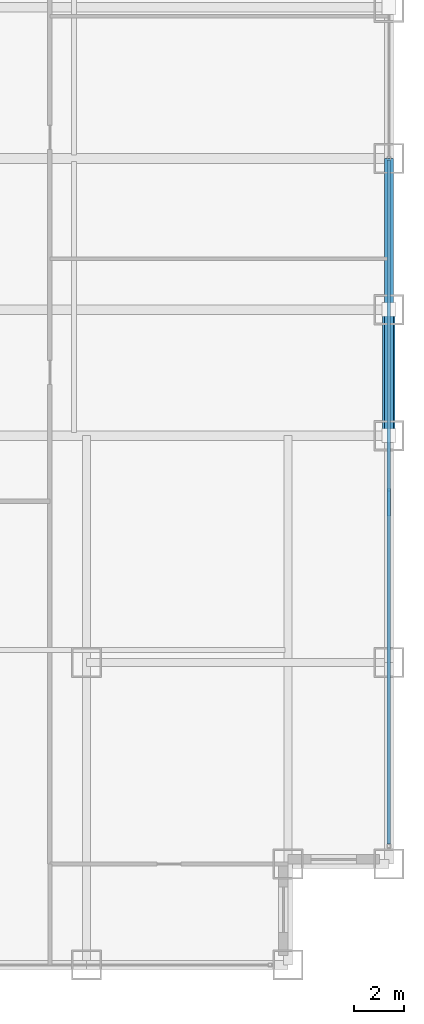
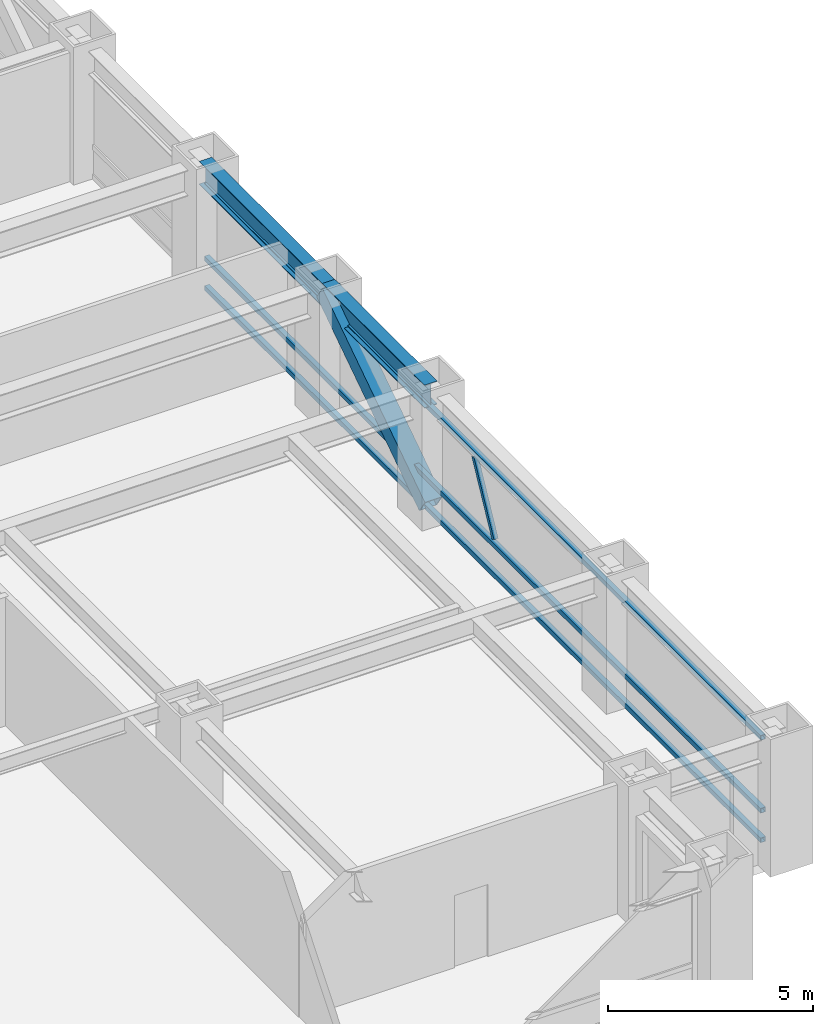
# One storey, part 13 of 27: 5 members, 2 beams, 1 element without a shape of its own.
"""IFC4 building model written with IfcOpenShell, lengths in metres."""

from ifc_helpers import new_model, si_unit, direction, frame, origin, origin_2d, place, context, subcontext, project, spatial, hollow_rectangle, i_section, extrude, source, transform, mapped, material, material_profile, profile_set, type_object, element, aggregate, save


model = new_model("IFC4")

# Units and contexts
model_context = context("Model", 3, precision=1e-05, world=origin(), true_north=direction((0.0, 1.0)))
body_context = subcontext(model_context, "Body", "Model", "MODEL_VIEW")
ifc_project = project(units=[si_unit("LENGTHUNIT", "METRE"), si_unit("AREAUNIT", "SQUARE_METRE"), si_unit("VOLUMEUNIT", "CUBIC_METRE"), si_unit("PLANEANGLEUNIT", "RADIAN"), si_unit("MASSUNIT", "GRAM", prefix="KILO")], contexts=[model_context])

# Site, building, storey
site_placement = place(None, origin())
site = spatial("IfcSite", under=ifc_project, at=site_placement, CompositionType="ELEMENT")
building_placement = place(site_placement, origin())
building = spatial("IfcBuilding", under=site, at=building_placement, Name="Khorayat Bourse Tower", CompositionType="ELEMENT")
storey_placement = place(building_placement, frame((0.0, 0.0, 111.89990234375)))
storey = spatial("IfcBuildingStorey", under=building, at=storey_placement, Name="L25", CompositionType="ELEMENT", Elevation=111.89990234375)

# Beams
ifc_material_1 = material(Name="Steel ASTM A992 Grade 50", Category="steel")
ifc_material_profile_1 = material_profile(ifc_material_1, i_section(OverallWidth=0.35498046875, OverallDepth=0.695068359375, WebThickness=0.015380859375, FlangeThickness=0.02490234375, FilletRadius=0.01806640625, at=origin_2d()), Name="W690X217")
ifc_profile_set_1 = profile_set([ifc_material_profile_1], Name="Steel ASTM A992 Grade 50")
beam_type = type_object("IfcBeamType", Name="BM-SPAN-690", PredefinedType="SPANDREL", material=ifc_profile_set_1)
shared_shape_1 = source(origin(), body_context, "Body", "SweptSolid", [
    extrude(i_section(OverallWidth=0.35498046875, OverallDepth=0.695068359375, WebThickness=0.015380859375, FlangeThickness=0.02490234375, FilletRadius=0.01806640625, at=origin_2d()), origin(), (0.0, 0.0, 1.0), 5.0),
])
beam_1_placement = place(storey_placement, frame((32.0, -11.0, 3.49267578125), z_axis=(0.0, 1.0, 0.0), x_axis=(-1.0, 0.0, 0.0)))
element("IfcBeam", 1, at=beam_1_placement, inside=storey, type_object=beam_type, Name="L25 BM-SPAN-690 BM-L25-SPN-036", PredefinedType="SPANDREL", context=body_context, shape_type="MappedRepresentation", body=[
    mapped(shared_shape_1, transform((0.0, 0.0, 0.0), scale=1.0)),
])
shared_shape_2 = source(origin(), body_context, "Body", "SweptSolid", [
    extrude(i_section(OverallWidth=0.35498046875, OverallDepth=0.695068359375, WebThickness=0.015380859375, FlangeThickness=0.02490234375, FilletRadius=0.01806640625, at=origin_2d()), origin(), (0.0, 0.0, 1.0), 6.0),
])
beam_2_placement = place(storey_placement, frame((32.0, -6.0, 3.49267578125), z_axis=(0.0, 1.0, 0.0), x_axis=(-1.0, 0.0, 0.0)))
element("IfcBeam", 2, at=beam_2_placement, inside=storey, type_object=beam_type, Name="L25 BM-SPAN-690 BM-L25-SPN-037", PredefinedType="SPANDREL", context=body_context, shape_type="MappedRepresentation", body=[
    mapped(shared_shape_2, transform((0.0, 0.0, 0.0), scale=1.0)),
])

# Member
ifc_material_2 = material(Name="Steel EN 10025-4 S460M", Category="steel")
ifc_material_profile_2 = material_profile(ifc_material_2, hollow_rectangle(XDim=0.5, YDim=0.5, WallThickness=0.028076171875, at=origin_2d()), Name="HSS 500x500x28")
ifc_profile_set_2 = profile_set([ifc_material_profile_2], Name="Steel EN 10025-4 S460M")
member_type_1 = type_object("IfcMemberType", Name="MBR-TUBE-500", PredefinedType="BRACE", material=ifc_profile_set_2)
shared_shape_3 = source(origin(), body_context, "Body", "SweptSolid", [
    extrude(hollow_rectangle(XDim=0.5, YDim=0.5, WallThickness=0.028076171875, at=origin_2d()), origin(), (0.0, 0.0, 1.0), 6.012939453125),
])
member_1_placement = place(storey_placement, frame((32.0, -11.0, 0.25), z_axis=(0.0, 0.831531473026, 0.555477640745), x_axis=(-1.0, 0.0, 0.0)))
element("IfcMember", 3, at=member_1_placement, inside=storey, type_object=member_type_1, Name="L25 Perimeter Tube Brace 07", PredefinedType="BRACE", context=body_context, shape_type="MappedRepresentation", body=[
    mapped(shared_shape_3, transform((0.0, 0.0, 0.0), scale=1.0)),
])

# Curtain wall, members
ifc_material_3 = material(Name="Aluminium EN AW-6063 T6", Category="aluminium")
curtain_wall_type = type_object("IfcCurtainWallType", Name="CW-SYS-02", PredefinedType="NOTDEFINED", material=ifc_material_3)
curtain_wall_placement = place(storey_placement, origin())
curtain_wall = element("IfcCurtainWall", 4, at=curtain_wall_placement, inside=storey, type_object=curtain_wall_type, Name="L25 Curtain Wall CW-L25-E1", PredefinedType="NOTDEFINED")
ifc_material_profile_3 = material_profile(ifc_material_3, hollow_rectangle(XDim=0.139892578125, YDim=0.139892578125, WallThickness=0.006103515625, at=origin_2d()), Name="ALU 140x140x6")
ifc_profile_set_3 = profile_set([ifc_material_profile_3], Name="Aluminium EN AW-6063 T6")
member_type_2 = type_object("IfcMemberType", Name="CWT-HORZ-140", PredefinedType="USERDEFINED", material=ifc_profile_set_3)
shared_shape_4 = source(origin(), body_context, "Body", "SweptSolid", [
    extrude(hollow_rectangle(XDim=0.139892578125, YDim=0.139892578125, WallThickness=0.006103515625, at=origin_2d()), origin(), (0.0, 0.0, 1.0), 27.139892578125),
])
member_2_placement = place(storey_placement, frame((32.0, -27.2099609375, 0.070068359375), z_axis=(0.0, 1.0, 0.0), x_axis=(-1.0, 0.0, 0.0)))
member_2 = element("IfcMember", 5, at=member_2_placement, type_object=member_type_2, Name="CW-L25-E1 Horizontal Transom 1-1", ObjectType="TRANSOM", PredefinedType="USERDEFINED", context=body_context, shape_type="MappedRepresentation", body=[
    mapped(shared_shape_4, transform((0.0, 0.0, 0.0), scale=1.0)),
])
member_3_placement = place(storey_placement, frame((32.0, -27.2099609375, 0.9501953125), z_axis=(0.0, 1.0, 0.0), x_axis=(-1.0, 0.0, 0.0)))
member_3 = element("IfcMember", 6, at=member_3_placement, type_object=member_type_2, Name="CW-L25-E1 Horizontal Transom 1-2", ObjectType="TRANSOM", PredefinedType="USERDEFINED", context=body_context, shape_type="MappedRepresentation", body=[
    mapped(shared_shape_4, transform((0.0, 0.0, 0.0), scale=1.0)),
])
member_4_placement = place(storey_placement, frame((32.0, -27.2099609375, 3.1201171875), z_axis=(0.0, 1.0, 0.0), x_axis=(-1.0, 0.0, 0.0)))
member_4 = element("IfcMember", 7, at=member_4_placement, type_object=member_type_2, Name="CW-L25-E1 Horizontal Transom 1-3", ObjectType="TRANSOM", PredefinedType="USERDEFINED", context=body_context, shape_type="MappedRepresentation", body=[
    mapped(shared_shape_4, transform((0.0, 0.0, 0.0), scale=1.0)),
])
ifc_material_profile_4 = material_profile(ifc_material_3, hollow_rectangle(XDim=0.1201171875, YDim=0.1201171875, WallThickness=0.0048828125, at=origin_2d()), Name="ALU 120x120x5")
ifc_profile_set_4 = profile_set([ifc_material_profile_4], Name="Aluminium EN AW-6063 T6")
member_type_3 = type_object("IfcMemberType", Name="CWM-DIAG-120", PredefinedType="MULLION", material=ifc_profile_set_4)
shared_shape_5 = source(origin(), body_context, "Body", "SweptSolid", [
    extrude(hollow_rectangle(XDim=0.1201171875, YDim=0.1201171875, WallThickness=0.0048828125, at=origin_2d()), origin(), (0.0, 0.0, 1.0), 2.11328125),
])
member_5_placement = place(storey_placement, frame((32.0, -14.132080078125, 1.10009765625), z_axis=(0.0, 0.465694055905, 0.884945787207), x_axis=(-1.0, 0.0, 0.0)))
member_5 = element("IfcMember", 8, at=member_5_placement, type_object=member_type_3, Name="CW-L25-E1 Faceted Diagonal Mullion 1", PredefinedType="MULLION", context=body_context, shape_type="MappedRepresentation", body=[
    mapped(shared_shape_5, transform((0.0, 0.0, 0.0), scale=1.0)),
])
aggregate(curtain_wall, [member_2, member_3, member_4, member_5])

save(model, "model.ifc")
